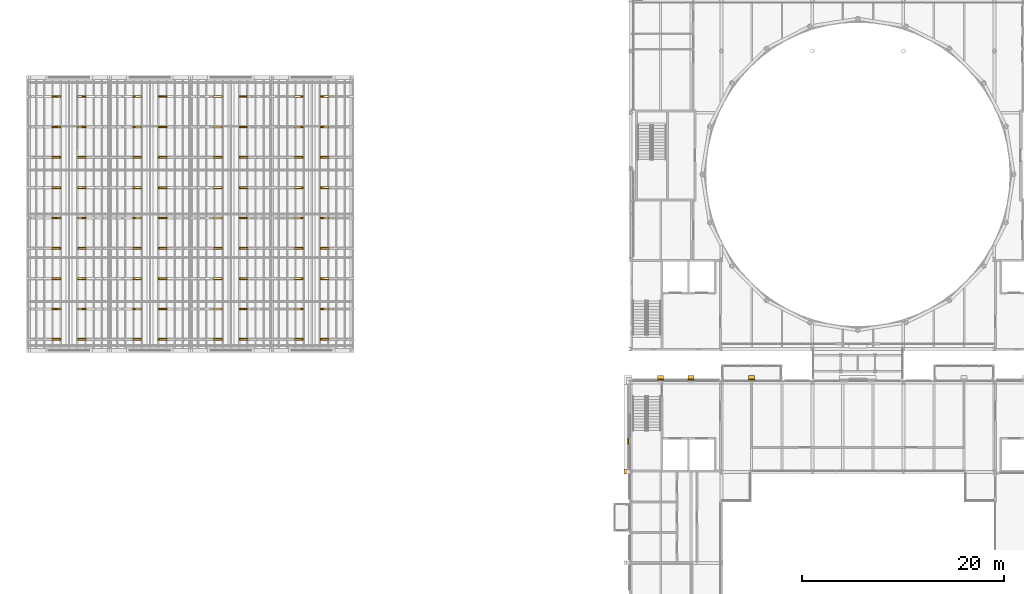
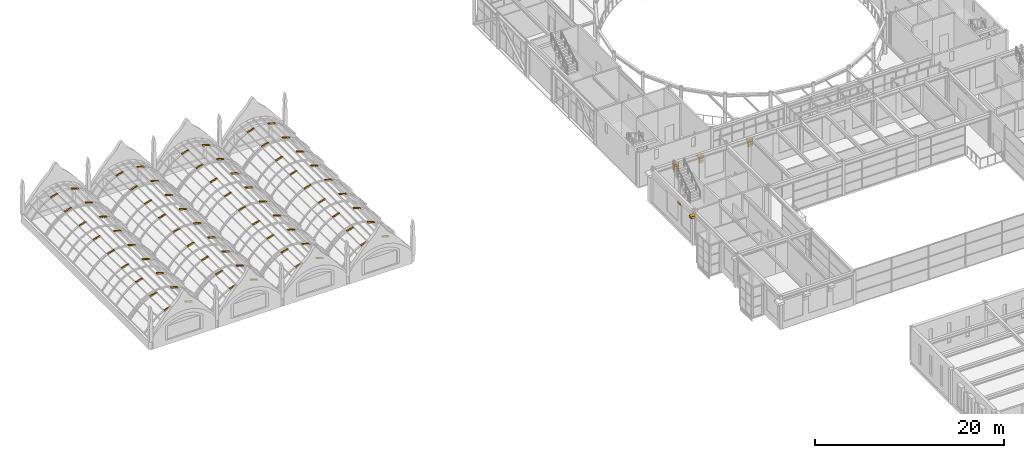
# One storey, part 110 of 111: 83 coverings.
"""IFC4 building model written with IfcOpenShell, lengths in metres."""

from ifc_helpers import new_model, si_unit, direction, frame, origin, origin_2d, place, context, subcontext, project, spatial, polyline, rectangle, outline, extrude, material, layer, layer_set, type_object, element, save


model = new_model("IFC4")

# Units and contexts
model_context = context("Model", 3, precision=1e-05, world=origin(), true_north=direction((0.0, 1.0)))
body_context = subcontext(model_context, "Body", "Model", "MODEL_VIEW")
ifc_project = project(units=[si_unit("LENGTHUNIT", "METRE"), si_unit("AREAUNIT", "SQUARE_METRE"), si_unit("VOLUMEUNIT", "CUBIC_METRE"), si_unit("PLANEANGLEUNIT", "RADIAN"), si_unit("MASSUNIT", "GRAM", prefix="KILO")], contexts=[model_context])

# Site, building, storey
site_placement = place(None, origin())
site = spatial("IfcSite", under=ifc_project, at=site_placement, CompositionType="ELEMENT")
building_placement = place(site_placement, origin())
building = spatial("IfcBuilding", under=site, at=building_placement, Name="Kallimachos Central Library", CompositionType="ELEMENT")
storey_placement = place(building_placement, frame((0.0, 0.0, 14.39990234375)))
storey = spatial("IfcBuildingStorey", under=building, at=storey_placement, Name="L03", CompositionType="ELEMENT", Elevation=14.39990234375)

# Coverings
ifc_material_1 = material(Name="Glazed ceramic roll tile")
ifc_layer_1 = layer(ifc_material_1, 0.10009765625)
ifc_layer_set_1 = layer_set([ifc_layer_1], Name="Ceramic roll tile rib 180")
covering_type_1 = type_object("IfcCoveringType", Name="Ceramic roll tile rib 180", PredefinedType="ROOFING", material=ifc_layer_set_1)
for number, where, z_axis, x_axis, name in (
    (1, (8.30615234375, 88.010009765625, 3.533447265625), (-0.295757591402, 0.0, 0.955263025103), (0.955263025103, 0.0, 0.295757591402), "Barrel roof 1 roll tile rib"),
    (2, (8.30615234375, 91.010009765625, 3.533447265625), (-0.295757591402, 0.0, 0.955263025103), (0.955263025103, 0.0, 0.295757591402), "Barrel roof 1 roll tile rib"),
    (3, (8.30615234375, 94.010009765625, 3.533447265625), (-0.295757591402, 0.0, 0.955263025103), (0.955263025103, 0.0, 0.295757591402), "Barrel roof 1 roll tile rib"),
    (4, (8.30615234375, 97.010009765625, 3.533447265625), (-0.295757591402, 0.0, 0.955263025103), (0.955263025103, 0.0, 0.295757591402), "Barrel roof 1 roll tile rib"),
    (5, (8.30615234375, 100.010009765625, 3.533447265625), (-0.295757591402, 0.0, 0.955263025103), (0.955263025103, 0.0, 0.295757591402), "Barrel roof 1 roll tile rib"),
    (6, (8.30615234375, 103.010009765625, 3.533447265625), (-0.295757591402, 0.0, 0.955263025103), (0.955263025103, 0.0, 0.295757591402), "Barrel roof 1 roll tile rib"),
    (7, (8.30615234375, 106.010009765625, 3.533447265625), (-0.295757591402, 0.0, 0.955263025103), (0.955263025103, 0.0, 0.295757591402), "Barrel roof 1 roll tile rib"),
    (8, (8.30615234375, 109.010009765625, 3.533447265625), (-0.295757591402, 0.0, 0.955263025103), (0.955263025103, 0.0, 0.295757591402), "Barrel roof 1 roll tile rib"),
    (9, (8.30615234375, 112.010009765625, 3.533447265625), (-0.295757591402, 0.0, 0.955263025103), (0.955263025103, 0.0, 0.295757591402), "Barrel roof 1 roll tile rib"),
    (10, (10.87060546875, 88.010009765625, 3.788330078125), (0.295757591402, 0.0, 0.955263025103), (0.955263025103, 0.0, -0.295757591402), "Barrel roof 1 roll tile rib"),
    (11, (10.87060546875, 91.010009765625, 3.788330078125), (0.295757591402, 0.0, 0.955263025103), (0.955263025103, 0.0, -0.295757591402), "Barrel roof 1 roll tile rib"),
    (12, (10.87060546875, 94.010009765625, 3.788330078125), (0.295757591402, 0.0, 0.955263025103), (0.955263025103, 0.0, -0.295757591402), "Barrel roof 1 roll tile rib"),
    (13, (10.87060546875, 97.010009765625, 3.788330078125), (0.295757591402, 0.0, 0.955263025103), (0.955263025103, 0.0, -0.295757591402), "Barrel roof 1 roll tile rib"),
    (14, (10.87060546875, 100.010009765625, 3.788330078125), (0.295757591402, 0.0, 0.955263025103), (0.955263025103, 0.0, -0.295757591402), "Barrel roof 1 roll tile rib"),
    (15, (10.87060546875, 103.010009765625, 3.788330078125), (0.295757591402, 0.0, 0.955263025103), (0.955263025103, 0.0, -0.295757591402), "Barrel roof 1 roll tile rib"),
    (16, (10.87060546875, 106.010009765625, 3.788330078125), (0.295757591402, 0.0, 0.955263025103), (0.955263025103, 0.0, -0.295757591402), "Barrel roof 1 roll tile rib"),
    (17, (10.87060546875, 109.010009765625, 3.788330078125), (0.295757591402, 0.0, 0.955263025103), (0.955263025103, 0.0, -0.295757591402), "Barrel roof 1 roll tile rib"),
    (18, (10.87060546875, 112.010009765625, 3.788330078125), (0.295757591402, 0.0, 0.955263025103), (0.955263025103, 0.0, -0.295757591402), "Barrel roof 1 roll tile rib"),
    (19, (16.30615234375, 88.010009765625, 3.533447265625), (-0.295757591402, 0.0, 0.955263025103), (0.955263025103, 0.0, 0.295757591402), "Barrel roof 2 roll tile rib"),
    (20, (16.30615234375, 91.010009765625, 3.533447265625), (-0.295757591402, 0.0, 0.955263025103), (0.955263025103, 0.0, 0.295757591402), "Barrel roof 2 roll tile rib"),
    (21, (16.30615234375, 94.010009765625, 3.533447265625), (-0.295757591402, 0.0, 0.955263025103), (0.955263025103, 0.0, 0.295757591402), "Barrel roof 2 roll tile rib"),
    (22, (16.30615234375, 97.010009765625, 3.533447265625), (-0.295757591402, 0.0, 0.955263025103), (0.955263025103, 0.0, 0.295757591402), "Barrel roof 2 roll tile rib"),
    (23, (16.30615234375, 100.010009765625, 3.533447265625), (-0.295757591402, 0.0, 0.955263025103), (0.955263025103, 0.0, 0.295757591402), "Barrel roof 2 roll tile rib"),
    (24, (16.30615234375, 103.010009765625, 3.533447265625), (-0.295757591402, 0.0, 0.955263025103), (0.955263025103, 0.0, 0.295757591402), "Barrel roof 2 roll tile rib"),
    (25, (16.30615234375, 106.010009765625, 3.533447265625), (-0.295757591402, 0.0, 0.955263025103), (0.955263025103, 0.0, 0.295757591402), "Barrel roof 2 roll tile rib"),
    (26, (16.30615234375, 109.010009765625, 3.533447265625), (-0.295757591402, 0.0, 0.955263025103), (0.955263025103, 0.0, 0.295757591402), "Barrel roof 2 roll tile rib"),
    (27, (16.30615234375, 112.010009765625, 3.533447265625), (-0.295757591402, 0.0, 0.955263025103), (0.955263025103, 0.0, 0.295757591402), "Barrel roof 2 roll tile rib"),
    (28, (18.87060546875, 88.010009765625, 3.788330078125), (0.295757591402, 0.0, 0.955263025103), (0.955263025103, 0.0, -0.295757591402), "Barrel roof 2 roll tile rib"),
    (29, (18.87060546875, 91.010009765625, 3.788330078125), (0.295757591402, 0.0, 0.955263025103), (0.955263025103, 0.0, -0.295757591402), "Barrel roof 2 roll tile rib"),
    (30, (18.87060546875, 94.010009765625, 3.788330078125), (0.295757591402, 0.0, 0.955263025103), (0.955263025103, 0.0, -0.295757591402), "Barrel roof 2 roll tile rib"),
    (31, (18.87060546875, 97.010009765625, 3.788330078125), (0.295757591402, 0.0, 0.955263025103), (0.955263025103, 0.0, -0.295757591402), "Barrel roof 2 roll tile rib"),
    (32, (18.87060546875, 100.010009765625, 3.788330078125), (0.295757591402, 0.0, 0.955263025103), (0.955263025103, 0.0, -0.295757591402), "Barrel roof 2 roll tile rib"),
    (33, (18.87060546875, 103.010009765625, 3.788330078125), (0.295757591402, 0.0, 0.955263025103), (0.955263025103, 0.0, -0.295757591402), "Barrel roof 2 roll tile rib"),
    (34, (18.87060546875, 106.010009765625, 3.788330078125), (0.295757591402, 0.0, 0.955263025103), (0.955263025103, 0.0, -0.295757591402), "Barrel roof 2 roll tile rib"),
    (35, (18.87060546875, 109.010009765625, 3.788330078125), (0.295757591402, 0.0, 0.955263025103), (0.955263025103, 0.0, -0.295757591402), "Barrel roof 2 roll tile rib"),
    (36, (18.87060546875, 112.010009765625, 3.788330078125), (0.295757591402, 0.0, 0.955263025103), (0.955263025103, 0.0, -0.295757591402), "Barrel roof 2 roll tile rib"),
    (37, (24.30615234375, 88.010009765625, 3.533447265625), (-0.295757591402, 0.0, 0.955263025103), (0.955263025103, 0.0, 0.295757591402), "Barrel roof 3 roll tile rib"),
    (38, (24.30615234375, 91.010009765625, 3.533447265625), (-0.295757591402, 0.0, 0.955263025103), (0.955263025103, 0.0, 0.295757591402), "Barrel roof 3 roll tile rib"),
    (39, (24.30615234375, 94.010009765625, 3.533447265625), (-0.295757591402, 0.0, 0.955263025103), (0.955263025103, 0.0, 0.295757591402), "Barrel roof 3 roll tile rib"),
    (40, (24.30615234375, 97.010009765625, 3.533447265625), (-0.295757591402, 0.0, 0.955263025103), (0.955263025103, 0.0, 0.295757591402), "Barrel roof 3 roll tile rib"),
    (41, (24.30615234375, 100.010009765625, 3.533447265625), (-0.295757591402, 0.0, 0.955263025103), (0.955263025103, 0.0, 0.295757591402), "Barrel roof 3 roll tile rib"),
    (42, (24.30615234375, 103.010009765625, 3.533447265625), (-0.295757591402, 0.0, 0.955263025103), (0.955263025103, 0.0, 0.295757591402), "Barrel roof 3 roll tile rib"),
    (43, (24.30615234375, 106.010009765625, 3.533447265625), (-0.295757591402, 0.0, 0.955263025103), (0.955263025103, 0.0, 0.295757591402), "Barrel roof 3 roll tile rib"),
    (44, (24.30615234375, 109.010009765625, 3.533447265625), (-0.295757591402, 0.0, 0.955263025103), (0.955263025103, 0.0, 0.295757591402), "Barrel roof 3 roll tile rib"),
    (45, (24.30615234375, 112.010009765625, 3.533447265625), (-0.295757591402, 0.0, 0.955263025103), (0.955263025103, 0.0, 0.295757591402), "Barrel roof 3 roll tile rib"),
    (46, (26.87060546875, 88.010009765625, 3.788330078125), (0.295757591402, 0.0, 0.955263025103), (0.955263025103, 0.0, -0.295757591402), "Barrel roof 3 roll tile rib"),
    (47, (26.87060546875, 91.010009765625, 3.788330078125), (0.295757591402, 0.0, 0.955263025103), (0.955263025103, 0.0, -0.295757591402), "Barrel roof 3 roll tile rib"),
    (48, (26.87060546875, 94.010009765625, 3.788330078125), (0.295757591402, 0.0, 0.955263025103), (0.955263025103, 0.0, -0.295757591402), "Barrel roof 3 roll tile rib"),
    (49, (26.87060546875, 97.010009765625, 3.788330078125), (0.295757591402, 0.0, 0.955263025103), (0.955263025103, 0.0, -0.295757591402), "Barrel roof 3 roll tile rib"),
    (50, (26.87060546875, 100.010009765625, 3.788330078125), (0.295757591402, 0.0, 0.955263025103), (0.955263025103, 0.0, -0.295757591402), "Barrel roof 3 roll tile rib"),
    (51, (26.87060546875, 103.010009765625, 3.788330078125), (0.295757591402, 0.0, 0.955263025103), (0.955263025103, 0.0, -0.295757591402), "Barrel roof 3 roll tile rib"),
    (52, (26.87060546875, 106.010009765625, 3.788330078125), (0.295757591402, 0.0, 0.955263025103), (0.955263025103, 0.0, -0.295757591402), "Barrel roof 3 roll tile rib"),
    (53, (26.87060546875, 109.010009765625, 3.788330078125), (0.295757591402, 0.0, 0.955263025103), (0.955263025103, 0.0, -0.295757591402), "Barrel roof 3 roll tile rib"),
    (54, (26.87060546875, 112.010009765625, 3.788330078125), (0.295757591402, 0.0, 0.955263025103), (0.955263025103, 0.0, -0.295757591402), "Barrel roof 3 roll tile rib"),
    (55, (32.30615234375, 88.010009765625, 3.533447265625), (-0.295757591402, 0.0, 0.955263025103), (0.955263025103, 0.0, 0.295757591402), "Barrel roof 4 roll tile rib"),
    (56, (32.30615234375, 91.010009765625, 3.533447265625), (-0.295757591402, 0.0, 0.955263025103), (0.955263025103, 0.0, 0.295757591402), "Barrel roof 4 roll tile rib"),
    (57, (32.30615234375, 94.010009765625, 3.533447265625), (-0.295757591402, 0.0, 0.955263025103), (0.955263025103, 0.0, 0.295757591402), "Barrel roof 4 roll tile rib"),
    (58, (32.30615234375, 97.010009765625, 3.533447265625), (-0.295757591402, 0.0, 0.955263025103), (0.955263025103, 0.0, 0.295757591402), "Barrel roof 4 roll tile rib"),
    (59, (32.30615234375, 100.010009765625, 3.533447265625), (-0.295757591402, 0.0, 0.955263025103), (0.955263025103, 0.0, 0.295757591402), "Barrel roof 4 roll tile rib"),
    (60, (32.30615234375, 103.010009765625, 3.533447265625), (-0.295757591402, 0.0, 0.955263025103), (0.955263025103, 0.0, 0.295757591402), "Barrel roof 4 roll tile rib"),
    (61, (32.30615234375, 106.010009765625, 3.533447265625), (-0.295757591402, 0.0, 0.955263025103), (0.955263025103, 0.0, 0.295757591402), "Barrel roof 4 roll tile rib"),
    (62, (32.30615234375, 109.010009765625, 3.533447265625), (-0.295757591402, 0.0, 0.955263025103), (0.955263025103, 0.0, 0.295757591402), "Barrel roof 4 roll tile rib"),
    (63, (32.30615234375, 112.010009765625, 3.533447265625), (-0.295757591402, 0.0, 0.955263025103), (0.955263025103, 0.0, 0.295757591402), "Barrel roof 4 roll tile rib"),
    (64, (34.87060546875, 88.010009765625, 3.788330078125), (0.295757591402, 0.0, 0.955263025103), (0.955263025103, 0.0, -0.295757591402), "Barrel roof 4 roll tile rib"),
    (65, (34.87060546875, 91.010009765625, 3.788330078125), (0.295757591402, 0.0, 0.955263025103), (0.955263025103, 0.0, -0.295757591402), "Barrel roof 4 roll tile rib"),
    (66, (34.87060546875, 94.010009765625, 3.788330078125), (0.295757591402, 0.0, 0.955263025103), (0.955263025103, 0.0, -0.295757591402), "Barrel roof 4 roll tile rib"),
    (67, (34.87060546875, 97.010009765625, 3.788330078125), (0.295757591402, 0.0, 0.955263025103), (0.955263025103, 0.0, -0.295757591402), "Barrel roof 4 roll tile rib"),
    (68, (34.87060546875, 100.010009765625, 3.788330078125), (0.295757591402, 0.0, 0.955263025103), (0.955263025103, 0.0, -0.295757591402), "Barrel roof 4 roll tile rib"),
    (69, (34.87060546875, 103.010009765625, 3.788330078125), (0.295757591402, 0.0, 0.955263025103), (0.955263025103, 0.0, -0.295757591402), "Barrel roof 4 roll tile rib"),
    (70, (34.87060546875, 106.010009765625, 3.788330078125), (0.295757591402, 0.0, 0.955263025103), (0.955263025103, 0.0, -0.295757591402), "Barrel roof 4 roll tile rib"),
    (71, (34.87060546875, 109.010009765625, 3.788330078125), (0.295757591402, 0.0, 0.955263025103), (0.955263025103, 0.0, -0.295757591402), "Barrel roof 4 roll tile rib"),
    (72, (34.87060546875, 112.010009765625, 3.788330078125), (0.295757591402, 0.0, 0.955263025103), (0.955263025103, 0.0, -0.295757591402), "Barrel roof 4 roll tile rib"),
):
    element("IfcCovering", number, at=place(storey_placement, frame(where, z_axis=z_axis, x_axis=x_axis)), inside=storey, type_object=covering_type_1, Name=name, PredefinedType="ROOFING", context=body_context, shape_type="SweptSolid", body=[
        extrude(outline(polyline([(0.0, 0.0), (0.8617963491380637, 0.0), (0.8617963491380637, 0.179931640625), (0.0, 0.179931640625), (0.0, 0.0)])), origin(), (0.0, 0.0, -1.0), 0.10009765625),
    ])
ifc_material_2 = material(Name="Glazed ceramic frieze, green")
ifc_layer_2 = layer(ifc_material_2, 0.10009765625)
ifc_layer_set_2 = layer_set([ifc_layer_2], Name="Glazed ceramic frieze, green")
covering_type_2 = type_object("IfcCoveringType", Name="Glazed ceramic frieze, green", PredefinedType="CLADDING", material=ifc_layer_set_2)
for number, where, z_axis, x_axis, name in (
    (73, (68.5, 84.115966796875, 3.1298828125), (0.0, 0.0, 1.0), (1.0, 0.0, 0.0), "Glazed ceramic frieze, green -L03-015"),
    (74, (71.5, 84.115966796875, 3.1298828125), (0.0, 0.0, 1.0), (1.0, 0.0, 0.0), "Glazed ceramic frieze, green -L03-015"),
    (75, (77.5, 84.115966796875, 3.1298828125), (0.0, 0.0, 1.0), (1.0, 0.0, 0.0), "Glazed ceramic frieze, green -L03-016"),
):
    element("IfcCovering", number, at=place(storey_placement, frame(where, z_axis=z_axis, x_axis=x_axis)), inside=storey, type_object=covering_type_2, Name=name, PredefinedType="CLADDING", context=body_context, shape_type="SweptSolid", body=[
        extrude(rectangle(XDim=0.60009765625, YDim=0.10009765625, at=origin_2d()), origin(), (0.0, 0.0, 1.0), 0.300048828125),
    ])
ifc_material_3 = material(Name="Glazed ceramic frieze, ochre")
ifc_layer_3 = layer(ifc_material_3, 0.10009765625)
ifc_layer_set_3 = layer_set([ifc_layer_3], Name="Glazed ceramic frieze, ochre")
covering_type_3 = type_object("IfcCoveringType", Name="Glazed ceramic frieze, ochre", PredefinedType="CLADDING", material=ifc_layer_set_3)
for number, where, z_axis, x_axis, name in (
    (76, (68.5, 84.115966796875, 2.830078125), (0.0, 0.0, 1.0), (1.0, 0.0, 0.0), "Glazed ceramic frieze, ochre -L03-015"),
    (77, (71.5, 84.115966796875, 2.830078125), (0.0, 0.0, 1.0), (1.0, 0.0, 0.0), "Glazed ceramic frieze, ochre -L03-015"),
    (78, (77.5, 84.115966796875, 2.830078125), (0.0, 0.0, 1.0), (1.0, 0.0, 0.0), "Glazed ceramic frieze, ochre -L03-016"),
):
    element("IfcCovering", number, at=place(storey_placement, frame(where, z_axis=z_axis, x_axis=x_axis)), inside=storey, type_object=covering_type_3, Name=name, PredefinedType="CLADDING", context=body_context, shape_type="SweptSolid", body=[
        extrude(rectangle(XDim=0.60009765625, YDim=0.10009765625, at=origin_2d()), origin(), (0.0, 0.0, 1.0), 0.300048828125),
    ])
covering_1_placement = place(storey_placement, frame((65.29638671875, 78.0, 3.3798828125), z_axis=(0.0, 0.0, 1.0), x_axis=(1.0, 0.0, 0.0)))
element("IfcCovering", 79, at=covering_1_placement, inside=storey, type_object=covering_type_3, Name="Glazed ceramic frieze, ochre -L03-022", PredefinedType="CLADDING", context=body_context, shape_type="SweptSolid", body=[
    extrude(rectangle(XDim=0.10009765625, YDim=0.60009765625, at=origin_2d()), origin(), (0.0, 0.0, 1.0), 0.300048828125),
])
ifc_material_4 = material(Name="Pentelic marble cornice", Category="masonry")
ifc_layer_4 = layer(ifc_material_4, 0.449951171875)
ifc_layer_set_4 = layer_set([ifc_layer_4], Name="Stone cornice 450")
covering_type_4 = type_object("IfcCoveringType", Name="Stone cornice 450", PredefinedType="MOLDING", material=ifc_layer_set_4)
for number, where, z_axis, x_axis, name in (
    (80, (68.5, 84.291015625, 3.4501953125), (0.0, 0.0, 1.0), (1.0, 0.0, 0.0), "Stone cornice 450 -L03-015"),
    (81, (71.5, 84.291015625, 3.4501953125), (0.0, 0.0, 1.0), (1.0, 0.0, 0.0), "Stone cornice 450 -L03-015"),
    (82, (77.5, 84.291015625, 3.4501953125), (0.0, 0.0, 1.0), (1.0, 0.0, 0.0), "Stone cornice 450 -L03-016"),
):
    element("IfcCovering", number, at=place(storey_placement, frame(where, z_axis=z_axis, x_axis=x_axis)), inside=storey, type_object=covering_type_4, Name=name, PredefinedType="MOLDING", context=body_context, shape_type="SweptSolid", body=[
        extrude(rectangle(XDim=0.60009765625, YDim=0.449951171875, at=origin_2d()), origin(), (0.0, 0.0, 1.0), 0.300048828125),
    ])
covering_2_placement = place(storey_placement, frame((65.17041015625, 75.0, 3.5), z_axis=(0.0, 0.0, 1.0), x_axis=(1.0, 0.0, 0.0)))
element("IfcCovering", 83, at=covering_2_placement, inside=storey, type_object=covering_type_4, Name="Stone cornice 450 -L03-021", PredefinedType="MOLDING", context=body_context, shape_type="SweptSolid", body=[
    extrude(rectangle(XDim=0.550048828125, YDim=0.431884765625, at=origin_2d()), origin(), (0.0, 0.0, 1.0), 0.300048828125),
])

save(model, "model.ifc")
